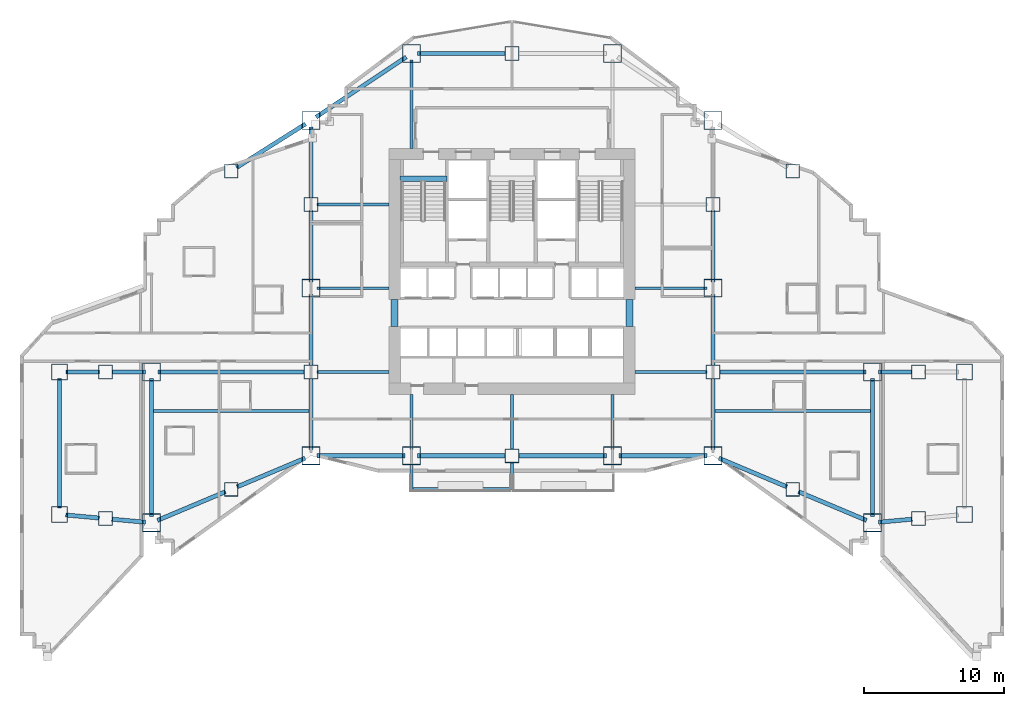
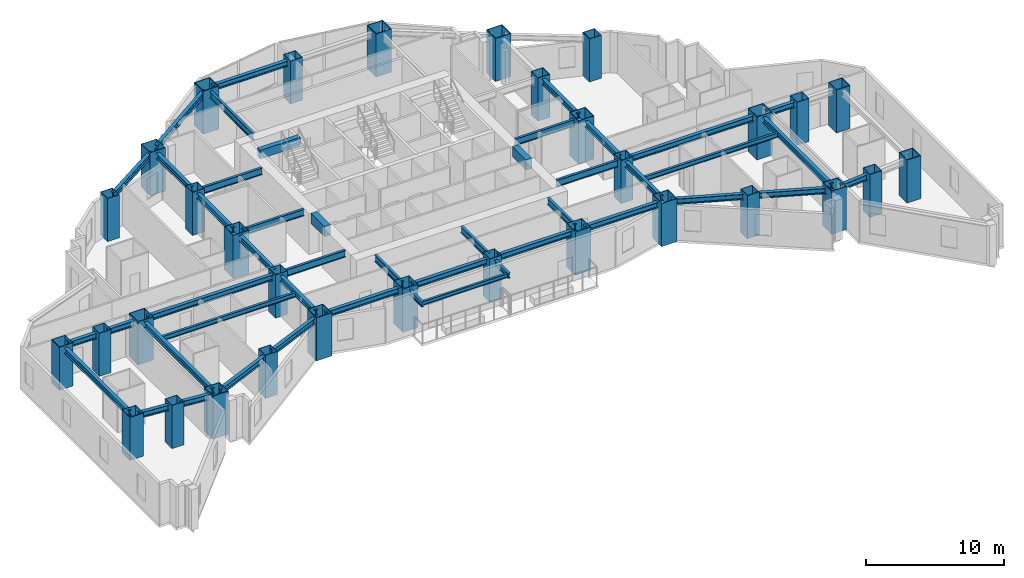
# One storey, part 1 of 17: 46 beams, 32 columns.
"""IFC4 building model written with IfcOpenShell, lengths in metres."""

import ifcopenshell
import ifcopenshell.guid

model = None  # the IFC model being written
_history = None  # IfcOwnerHistory: only IFC2X3 demands one
_inside = {}  # id of a spatial element -> (the spatial element, [elements in it])
_under = {}  # id of a project, library or spatial element -> (it, [spatial elements below it])
_declared = {}  # id of a project -> (the project, [libraries it declares])
_typed = {}  # id of a type object -> (the type object, [elements of that type])
_made_of = {}  # id of a material, layer set ... -> (it, [elements and type objects made of it])


def new_model(schema):
    """Start an empty IFC model of exactly this schema.

    Asked for "IFC4X3", IfcOpenShell would pick the latest addendum, in which some entities
    have other attributes; the version numbers below select the first issue.
    IFC2X3 requires an IfcOwnerHistory on every rooted entity: one is made here for all.
    """
    global model, _history
    if schema == "IFC4X3":
        model = ifcopenshell.file(schema_version=(4, 3, 0, 0))
    else:
        model = ifcopenshell.file(schema=schema)
    _inside.clear()
    _under.clear()
    _declared.clear()
    _typed.clear()
    _made_of.clear()
    _history = None
    if model.schema == "IFC2X3":
        org = make("IfcOrganization", Name="unknown")
        user = make(
            "IfcPersonAndOrganization",
            ThePerson=make("IfcPerson", FamilyName="unknown"),
            TheOrganization=org,
        )
        app = make(
            "IfcApplication",
            ApplicationDeveloper=org,
            Version="unknown",
            ApplicationFullName="unknown",
            ApplicationIdentifier="unknown",
        )
        _history = make(
            "IfcOwnerHistory",
            OwningUser=user,
            OwningApplication=app,
            ChangeAction="ADDED",
            CreationDate=0,
        )
    return model


def make(cls, **values):
    """One entity of the class cls with the attributes given. An attribute that is None is left unset."""
    return model.create_entity(
        cls, **{name: value for name, value in values.items() if value is not None}
    )


def rooted(cls, **values):
    """An entity with a GlobalId (a new one), such as an element, a storey or a relation."""
    return make(cls, GlobalId=ifcopenshell.guid.new(), OwnerHistory=_history, **values)


def si_unit(unit_type, name, prefix=None):
    """IfcSIUnit, for example si_unit("LENGTHUNIT", "METRE", prefix="MILLI")."""
    return make("IfcSIUnit", UnitType=unit_type, Prefix=prefix, Name=name)


def assignment(units):
    """IfcUnitAssignment: the units of a project."""
    return None if units is None else make("IfcUnitAssignment", Units=units)


def point(xyz):
    """IfcCartesianPoint."""
    return None if xyz is None else make("IfcCartesianPoint", Coordinates=xyz)


def direction(xyz):
    """IfcDirection."""
    return None if xyz is None else make("IfcDirection", DirectionRatios=xyz)


def frame(location, z_axis=None, x_axis=None):
    """IfcAxis2Placement3D, a coordinate frame: its origin and axes. An axis left out is left unset."""
    return make(
        "IfcAxis2Placement3D",
        Location=point(location),
        Axis=direction(z_axis),
        RefDirection=direction(x_axis),
    )


def frame_2d(location, x_axis=None):
    """IfcAxis2Placement2D, a coordinate frame in the plane: its origin and x axis."""
    return make(
        "IfcAxis2Placement2D", Location=point(location), RefDirection=direction(x_axis)
    )


def origin():
    """The frame at (0, 0, 0) with its axes left unset."""
    return frame((0.0, 0.0, 0.0))


def origin_2d():
    """The frame at (0, 0) in the plane with its x axis left unset."""
    return frame_2d((0.0, 0.0))


def place(relative_to, where):
    """IfcLocalPlacement: puts the frame where relative to a parent placement (None: the world)."""
    return make(
        "IfcLocalPlacement", PlacementRelTo=relative_to, RelativePlacement=where
    )


def context(
    kind, dimensions, precision=None, world=None, true_north=None, identifier=None
):
    """IfcGeometricRepresentationContext, for example the 3D "Model" context."""
    return make(
        "IfcGeometricRepresentationContext",
        ContextIdentifier=identifier,
        ContextType=kind,
        CoordinateSpaceDimension=dimensions,
        Precision=precision,
        WorldCoordinateSystem=world,
        TrueNorth=true_north,
    )


def subcontext(parent, identifier, kind, view, scale=None):
    """IfcGeometricRepresentationSubContext, for example "Body" below "Model"."""
    return make(
        "IfcGeometricRepresentationSubContext",
        ContextIdentifier=identifier,
        ContextType=kind,
        ParentContext=parent,
        TargetScale=scale,
        TargetView=view,
    )


def project(units=None, contexts=None):
    """IfcProject with its units and contexts."""
    return rooted(
        "IfcProject",
        Name="project",
        RepresentationContexts=contexts,
        UnitsInContext=assignment(units),
    )


def spatial(cls, under=None, at=None, **own):
    """A site, building, storey or space (cls), placed at a placement, below another one or the project."""
    s = rooted(cls, ObjectPlacement=at, **own)
    if under is not None:
        _under.setdefault(under.id(), (under, []))[1].append(s)
    return s


def profile(cls, at=None, kind="AREA", **sizes):
    """A parametric profile (cls). Its sizes go by their IFC names, for example OverallWidth=200.0."""
    return make(cls, ProfileType=kind, Position=at, **sizes)


def rectangle(**sizes):
    """IfcRectangleProfileDef."""
    return profile("IfcRectangleProfileDef", **sizes)


def hollow_rectangle(**sizes):
    """IfcRectangleHollowProfileDef."""
    return profile("IfcRectangleHollowProfileDef", **sizes)


def i_section(**sizes):
    """IfcIShapeProfileDef."""
    return profile("IfcIShapeProfileDef", **sizes)


def extrude(swept, where, along, depth):
    """IfcExtrudedAreaSolid: the profile swept, set in the frame where, extruded along a direction by depth."""
    return make(
        "IfcExtrudedAreaSolid",
        SweptArea=swept,
        Position=where,
        ExtrudedDirection=direction(along),
        Depth=depth,
    )


def shape(context_of_items, identifier, shape_type, items):
    """IfcShapeRepresentation: the items that make up one representation, for example the "Body"."""
    return make(
        "IfcShapeRepresentation",
        ContextOfItems=context_of_items,
        RepresentationIdentifier=identifier,
        RepresentationType=shape_type,
        Items=items,
    )


def material(Name=None, Category=None):
    """IfcMaterial."""
    return make("IfcMaterial", Name=Name, Category=Category)


def material_profile(
    of_material, cross_section, Name=None, Category=None, Priority=None
):
    """IfcMaterialProfile: a cross section and its material."""
    return make(
        "IfcMaterialProfile",
        Name=Name,
        Material=of_material,
        Profile=cross_section,
        Priority=Priority,
        Category=Category,
    )


def profile_set(profiles, Name=None, composite=None):
    """IfcMaterialProfileSet."""
    return make(
        "IfcMaterialProfileSet",
        Name=Name,
        MaterialProfiles=profiles,
        CompositeProfile=composite,
    )


def made_of(thing, what):
    """Note that an element or type object is made of a material, layer set ...; save() writes the relation."""
    if what is not None:
        _made_of.setdefault(what.id(), (what, []))[1].append(thing)
    return thing


def type_object(cls, material=None, **own):
    """A type object (cls), such as IfcWallType, which elements share."""
    return made_of(rooted(cls, **own), material)


def element(
    cls,
    number,
    at=None,
    inside=None,
    cuts=None,
    type_object=None,
    material=None,
    context=None,
    identifier="Body",
    shape_type=None,
    held_by="IfcProductDefinitionShape",
    body=None,
    shapes=None,
    **own,
):
    """One element of the class cls, such as IfcWall. Its Tag is "e" and its number.

    at: its placement. inside: the storey or other place that contains it. cuts: it is an
    opening in that element (IfcRelVoidsElement). A single representation is given by context,
    identifier, shape_type and body (its items); several are given by shapes. held_by: the class
    of the entity that holds the representations. save() writes the other relations.
    """
    e = rooted(cls, Tag="e%d" % number, ObjectPlacement=at, **own)
    if body is not None:
        shapes = [shape(context, identifier, shape_type, body)]
    if shapes is not None:
        e.Representation = make(held_by, Representations=shapes)
    if inside is not None:
        _inside.setdefault(inside.id(), (inside, []))[1].append(e)
    if cuts is not None:
        rooted(
            "IfcRelVoidsElement", RelatingBuildingElement=cuts, RelatedOpeningElement=e
        )
    if type_object is not None:
        _typed.setdefault(type_object.id(), (type_object, []))[1].append(e)
    return made_of(e, material)


def aggregate(whole, parts):
    """IfcRelAggregates: a whole, such as a stair, and the parts it consists of."""
    return rooted("IfcRelAggregates", RelatingObject=whole, RelatedObjects=parts)


def save(model, path):
    """Write the relations noted so far, then the file.

    IfcRelAggregates (storeys below a building ...), IfcRelContainedInSpatialStructure (elements
    in a storey), IfcRelDefinesByType, IfcRelAssociatesMaterial and IfcRelDeclares: one each for
    every whole, place, type object, material and project.
    """
    for whole, parts in _under.values():
        aggregate(whole, parts)
    for where, things in _inside.values():
        rooted(
            "IfcRelContainedInSpatialStructure",
            RelatedElements=things,
            RelatingStructure=where,
        )
    for kind, things in _typed.values():
        rooted("IfcRelDefinesByType", RelatedObjects=things, RelatingType=kind)
    for what, things in _made_of.values():
        rooted("IfcRelAssociatesMaterial", RelatedObjects=things, RelatingMaterial=what)
    for by, libraries in _declared.values():
        rooted("IfcRelDeclares", RelatingContext=by, RelatedDefinitions=libraries)
    model.write(path)


model = new_model("IFC4")

# Units and contexts
model_context = context("Model", 3, precision=1e-05, world=origin(), true_north=direction((0.0, 1.0)))
body_context = subcontext(model_context, "Body", "Model", "MODEL_VIEW")
ifc_project = project(units=[si_unit("LENGTHUNIT", "METRE"), si_unit("AREAUNIT", "SQUARE_METRE"), si_unit("VOLUMEUNIT", "CUBIC_METRE"), si_unit("PLANEANGLEUNIT", "RADIAN"), si_unit("MASSUNIT", "GRAM", prefix="KILO")], contexts=[model_context])

# Site, building, storey
site_placement = place(None, origin())
site = spatial("IfcSite", under=ifc_project, at=site_placement, CompositionType="ELEMENT")
building_placement = place(site_placement, origin())
building = spatial("IfcBuilding", under=site, at=building_placement, Name="Haolan Belvedere Tower", CompositionType="ELEMENT")
storey_placement = place(building_placement, frame((0.0, 0.0, 27.800048828125)))
storey = spatial("IfcBuildingStorey", under=building, at=storey_placement, Name="L06", CompositionType="ELEMENT", Elevation=27.800048828125)

# Columns
ifc_material_1 = material(Name="Steel Q420GJC", Category="steel")
ifc_material_profile_1 = material_profile(ifc_material_1, hollow_rectangle(XDim=1.0, YDim=1.0, WallThickness=0.0380859375, at=origin_2d()), Name="Steel Q420GJC")
ifc_profile_set_1 = profile_set([ifc_material_profile_1], Name="Steel Q420GJC")
column_type_1 = type_object("IfcColumnType", Name="COL-BOX1000x1000x38", PredefinedType="COLUMN", material=ifc_profile_set_1)
for number, where, z_axis, x_axis, name in (
    (1, (24.0, 27.60009765625, 0.0), (0.0, 0.0, 1.0), (1.0, 0.0, 0.0), "L06 column TC-T3-W1 (BOX1000x1000x38)"),
    (2, (24.0, 39.60009765625, 0.0), (0.0, 0.0, 1.0), (1.0, 0.0, 0.0), "L06 column TC-T3-W2 (BOX1000x1000x38)"),
    (3, (52.800048828125, 27.60009765625, 0.0), (0.0, 0.0, 1.0), (1.0, 0.0, 0.0), "L06 column TC-T3-E1 (BOX1000x1000x38)"),
    (4, (52.800048828125, 39.60009765625, 0.0), (0.0, 0.0, 1.0), (1.0, 0.0, 0.0), "L06 column TC-T3-E2 (BOX1000x1000x38)"),
    (5, (38.39990234375, 21.60009765625, 0.0), (0.0, 0.0, 1.0), (1.0, 0.0, 0.0), "L06 column TC-T3-SM (BOX1000x1000x38)"),
    (6, (38.39990234375, 50.39990234375, 0.0), (0.0, 0.0, 1.0), (1.0, 0.0, 0.0), "L06 column TC-T3-NM (BOX1000x1000x38)"),
    (7, (18.300048828125, 19.199951171875, 0.0), (0.0, 0.0, 1.0), (1.0, 0.0, 0.0), "L06 column TC-T2-S1 (BOX1000x1000x38)"),
    (8, (18.300048828125, 42.0, 0.0), (0.0, 0.0, 1.0), (1.0, 0.0, 0.0), "L06 column TC-T2-N1 (BOX1000x1000x38)"),
    (9, (58.5, 19.199951171875, 0.0), (0.0, 0.0, 1.0), (1.0, 0.0, 0.0), "L06 column TC-T4-S1 (BOX1000x1000x38)"),
    (10, (58.5, 42.0, 0.0), (0.0, 0.0, 1.0), (1.0, 0.0, 0.0), "L06 column TC-T4-N1 (BOX1000x1000x38)"),
    (11, (9.300048828125, 17.10009765625, 0.0), (0.0, 0.0, 1.0), (1.0, 0.0, 0.0), "L06 column TC-T1-M1 (BOX1000x1000x38)"),
    (12, (9.300048828125, 27.60009765625, 0.0), (0.0, 0.0, 1.0), (1.0, 0.0, 0.0), "L06 column TC-T1-M2 (BOX1000x1000x38)"),
    (13, (67.5, 17.10009765625, 0.0), (0.0, 0.0, 1.0), (1.0, 0.0, 0.0), "L06 column TC-T5-M1 (BOX1000x1000x38)"),
    (14, (67.5, 27.60009765625, 0.0), (0.0, 0.0, 1.0), (1.0, 0.0, 0.0), "L06 column TC-T5-M2 (BOX1000x1000x38)"),
):
    element("IfcColumn", number, at=place(storey_placement, frame(where, z_axis=z_axis, x_axis=x_axis)), inside=storey, type_object=column_type_1, Name=name, PredefinedType="COLUMN", context=body_context, shape_type="SweptSolid", body=[
        extrude(hollow_rectangle(XDim=1.0, YDim=1.0, WallThickness=0.0380859375, at=origin_2d()), origin(), (0.0, 0.0, 1.0), 3.800048828125),
    ])
ifc_material_2 = material(Name="Steel Q355B", Category="steel")
ifc_material_profile_2 = material_profile(ifc_material_2, hollow_rectangle(XDim=1.14990234375, YDim=1.14990234375, WallThickness=0.0419921875, at=origin_2d()), Name="Steel Q355B")
ifc_profile_set_2 = profile_set([ifc_material_profile_2], Name="Steel Q355B")
column_type_2 = type_object("IfcColumnType", Name="COL-BOX1150x1150x42", PredefinedType="COLUMN", material=ifc_profile_set_2)
for number, where, z_axis, x_axis, name in (
    (15, (6.0, 17.39990234375, 0.0), (0.0, 0.0, 1.0), (1.0, 0.0, 0.0), "L06 column MC-T1-SW (BOX1150x1150x42)"),
    (16, (6.0, 27.60009765625, 0.0), (0.0, 0.0, 1.0), (1.0, 0.0, 0.0), "L06 column MC-T1-NW (BOX1150x1150x42)"),
    (17, (70.800048828125, 17.39990234375, 0.0), (0.0, 0.0, 1.0), (1.0, 0.0, 0.0), "L06 column MC-T5-SE (BOX1150x1150x42)"),
    (18, (70.800048828125, 27.60009765625, 0.0), (0.0, 0.0, 1.0), (1.0, 0.0, 0.0), "L06 column MC-T5-NE (BOX1150x1150x42)"),
):
    element("IfcColumn", number, at=place(storey_placement, frame(where, z_axis=z_axis, x_axis=x_axis)), inside=storey, type_object=column_type_2, Name=name, PredefinedType="COLUMN", context=body_context, shape_type="SweptSolid", body=[
        extrude(hollow_rectangle(XDim=1.14990234375, YDim=1.14990234375, WallThickness=0.0419921875, at=origin_2d()), origin(), (0.0, 0.0, 1.0), 3.800048828125),
    ])
ifc_material_profile_3 = material_profile(ifc_material_2, hollow_rectangle(XDim=1.300048828125, YDim=1.300048828125, WallThickness=0.048095703125, at=origin_2d()), Name="Steel Q355B")
ifc_profile_set_3 = profile_set([ifc_material_profile_3], Name="Steel Q355B")
column_type_3 = type_object("IfcColumnType", Name="COL-BOX1300x1300x48", PredefinedType="COLUMN", material=ifc_profile_set_3)
for number, where, z_axis, x_axis, name in (
    (19, (24.0, 21.60009765625, 0.0), (0.0, 0.0, 1.0), (1.0, 0.0, 0.0), "L06 column MC-T3-SW (BOX1300x1300x48)"),
    (20, (24.0, 33.60009765625, 0.0), (0.0, 0.0, 1.0), (1.0, 0.0, 0.0), "L06 column MC-T3-MW (BOX1300x1300x48)"),
    (21, (24.0, 45.60009765625, 0.0), (0.0, 0.0, 1.0), (1.0, 0.0, 0.0), "L06 column MC-T3-NW (BOX1300x1300x48)"),
    (22, (52.800048828125, 21.60009765625, 0.0), (0.0, 0.0, 1.0), (1.0, 0.0, 0.0), "L06 column MC-T3-SE (BOX1300x1300x48)"),
    (23, (52.800048828125, 33.60009765625, 0.0), (0.0, 0.0, 1.0), (1.0, 0.0, 0.0), "L06 column MC-T3-ME (BOX1300x1300x48)"),
    (24, (52.800048828125, 45.60009765625, 0.0), (0.0, 0.0, 1.0), (1.0, 0.0, 0.0), "L06 column MC-T3-NE (BOX1300x1300x48)"),
    (25, (31.199951171875, 21.60009765625, 0.0), (0.0, 0.0, 1.0), (1.0, 0.0, 0.0), "L06 column MC-T3-S1 (BOX1300x1300x48)"),
    (26, (45.60009765625, 21.60009765625, 0.0), (0.0, 0.0, 1.0), (1.0, 0.0, 0.0), "L06 column MC-T3-S2 (BOX1300x1300x48)"),
    (27, (31.199951171875, 50.39990234375, 0.0), (0.0, 0.0, 1.0), (1.0, 0.0, 0.0), "L06 column MC-T3-N1 (BOX1300x1300x48)"),
    (28, (45.60009765625, 50.39990234375, 0.0), (0.0, 0.0, 1.0), (1.0, 0.0, 0.0), "L06 column MC-T3-N2 (BOX1300x1300x48)"),
    (29, (12.60009765625, 16.800048828125, 0.0), (0.0, 0.0, 1.0), (1.0, 0.0, 0.0), "L06 column MC-T2-SW (BOX1300x1300x48)"),
    (30, (12.60009765625, 27.60009765625, 0.0), (0.0, 0.0, 1.0), (1.0, 0.0, 0.0), "L06 column MC-T2-MW (BOX1300x1300x48)"),
    (31, (64.199951171875, 16.800048828125, 0.0), (0.0, 0.0, 1.0), (1.0, 0.0, 0.0), "L06 column MC-T4-SE (BOX1300x1300x48)"),
    (32, (64.199951171875, 27.60009765625, 0.0), (0.0, 0.0, 1.0), (1.0, 0.0, 0.0), "L06 column MC-T4-ME (BOX1300x1300x48)"),
):
    element("IfcColumn", number, at=place(storey_placement, frame(where, z_axis=z_axis, x_axis=x_axis)), inside=storey, type_object=column_type_3, Name=name, PredefinedType="COLUMN", context=body_context, shape_type="SweptSolid", body=[
        extrude(hollow_rectangle(XDim=1.300048828125, YDim=1.300048828125, WallThickness=0.048095703125, at=origin_2d()), origin(), (0.0, 0.0, 1.0), 3.800048828125),
    ])

# Beams
ifc_material_profile_4 = material_profile(ifc_material_2, i_section(OverallWidth=0.300048828125, OverallDepth=0.488037109375, WebThickness=0.010986328125, FlangeThickness=0.01806640625, FilletRadius=0.02587890625, at=origin_2d()), Name="Steel Q355B")
ifc_profile_set_4 = profile_set([ifc_material_profile_4], Name="Steel Q355B")
beam_type_1 = type_object("IfcBeamType", Name="BM-HM488x300x11x18", PredefinedType="SPANDREL", material=ifc_profile_set_4)
for number, where, z_axis, x_axis, name in (
    (33, (24.0, 22.050048828125, 3.35595703125), (0.0, 1.0, 0.0), (-1.0, 0.0, 0.0), "L06 spandrel girder MC-T3-SW-TC-T3-W1"),
    (34, (24.0, 28.050048828125, 3.35595703125), (0.0, 1.0, 0.0), (-1.0, 0.0, 0.0), "L06 spandrel girder TC-T3-W1-MC-T3-MW"),
    (35, (24.0, 34.050048828125, 3.35595703125), (0.0, 1.0, 0.0), (-1.0, 0.0, 0.0), "L06 spandrel girder MC-T3-MW-TC-T3-W2"),
    (36, (24.0, 40.050048828125, 3.35595703125), (0.0, 1.0, 0.0), (-1.0, 0.0, 0.0), "L06 spandrel girder TC-T3-W2-MC-T3-NW"),
    (37, (52.800048828125, 22.050048828125, 3.35595703125), (0.0, 1.0, 0.0), (-1.0, 0.0, 0.0), "L06 spandrel girder MC-T3-SE-TC-T3-E1"),
    (38, (52.800048828125, 28.050048828125, 3.35595703125), (0.0, 1.0, 0.0), (-1.0, 0.0, 0.0), "L06 spandrel girder TC-T3-E1-MC-T3-ME"),
    (39, (52.800048828125, 34.050048828125, 3.35595703125), (0.0, 1.0, 0.0), (-1.0, 0.0, 0.0), "L06 spandrel girder MC-T3-ME-TC-T3-E2"),
):
    element("IfcBeam", number, at=place(storey_placement, frame(where, z_axis=z_axis, x_axis=x_axis)), inside=storey, type_object=beam_type_1, Name=name, PredefinedType="SPANDREL", context=body_context, shape_type="SweptSolid", body=[
        extrude(i_section(OverallWidth=0.300048828125, OverallDepth=0.488037109375, WebThickness=0.010986328125, FlangeThickness=0.01806640625, FilletRadius=0.02587890625, at=origin_2d()), origin(), (0.0, 0.0, 1.0), 5.099853515625),
    ])
for number, where, z_axis, x_axis, name in (
    (40, (24.449951171875, 21.60009765625, 3.35595703125), (1.0, 0.0, 0.0), (0.0, 1.0, 0.0), "L06 spandrel girder MC-T3-SW-MC-T3-S1"),
    (41, (31.64990234375, 21.60009765625, 3.35595703125), (1.0, 0.0, 0.0), (0.0, 1.0, 0.0), "L06 spandrel girder MC-T3-S1-TC-T3-SM"),
):
    element("IfcBeam", number, at=place(storey_placement, frame(where, z_axis=z_axis, x_axis=x_axis)), inside=storey, type_object=beam_type_1, Name=name, PredefinedType="SPANDREL", context=body_context, shape_type="SweptSolid", body=[
        extrude(i_section(OverallWidth=0.300048828125, OverallDepth=0.488037109375, WebThickness=0.010986328125, FlangeThickness=0.01806640625, FilletRadius=0.02587890625, at=origin_2d()), origin(), (0.0, 0.0, 1.0), 6.300048828125),
    ])
beam_1_placement = place(storey_placement, frame((38.85009765625, 21.60009765625, 3.35595703125), z_axis=(1.0, 0.0, 0.0), x_axis=(0.0, 1.0, 0.0)))
element("IfcBeam", 42, at=beam_1_placement, inside=storey, type_object=beam_type_1, Name="L06 spandrel girder TC-T3-SM-MC-T3-S2", PredefinedType="SPANDREL", context=body_context, shape_type="SweptSolid", body=[
    extrude(i_section(OverallWidth=0.300048828125, OverallDepth=0.488037109375, WebThickness=0.010986328125, FlangeThickness=0.01806640625, FilletRadius=0.02587890625, at=origin_2d()), origin(), (0.0, 0.0, 1.0), 6.2998046875),
])
beam_2_placement = place(storey_placement, frame((46.050048828125, 21.60009765625, 3.35595703125), z_axis=(1.0, 0.0, 0.0), x_axis=(0.0, 1.0, 0.0)))
element("IfcBeam", 43, at=beam_2_placement, inside=storey, type_object=beam_type_1, Name="L06 spandrel girder MC-T3-S2-MC-T3-SE", PredefinedType="SPANDREL", context=body_context, shape_type="SweptSolid", body=[
    extrude(i_section(OverallWidth=0.300048828125, OverallDepth=0.488037109375, WebThickness=0.010986328125, FlangeThickness=0.01806640625, FilletRadius=0.02587890625, at=origin_2d()), origin(), (0.0, 0.0, 1.0), 6.300048828125),
])
beam_3_placement = place(storey_placement, frame((24.37451171875, 45.849609375, 3.35595703125), z_axis=(0.832050294338, 0.554700196225, 0.0), x_axis=(-0.554700196225, 0.832050294338, 0.0)))
element("IfcBeam", 44, at=beam_3_placement, inside=storey, type_object=beam_type_1, Name="L06 spandrel girder MC-T3-NW-MC-T3-N1", PredefinedType="SPANDREL", context=body_context, shape_type="SweptSolid", body=[
    extrude(i_section(OverallWidth=0.300048828125, OverallDepth=0.488037109375, WebThickness=0.010986328125, FlangeThickness=0.01806640625, FilletRadius=0.02587890625, at=origin_2d()), origin(), (0.0, 0.0, 1.0), 7.75341796875),
])
beam_4_placement = place(storey_placement, frame((31.64990234375, 50.39990234375, 3.35595703125), z_axis=(1.0, 0.0, 0.0), x_axis=(0.0, 1.0, 0.0)))
element("IfcBeam", 45, at=beam_4_placement, inside=storey, type_object=beam_type_1, Name="L06 spandrel girder MC-T3-N1-TC-T3-NM", PredefinedType="SPANDREL", context=body_context, shape_type="SweptSolid", body=[
    extrude(i_section(OverallWidth=0.300048828125, OverallDepth=0.488037109375, WebThickness=0.010986328125, FlangeThickness=0.01806640625, FilletRadius=0.02587890625, at=origin_2d()), origin(), (0.0, 0.0, 1.0), 6.300048828125),
])
beam_5_placement = place(storey_placement, frame((12.60009765625, 17.25, 3.35595703125), z_axis=(0.0, 1.0, 0.0), x_axis=(-1.0, 0.0, 0.0)))
element("IfcBeam", 46, at=beam_5_placement, inside=storey, type_object=beam_type_1, Name="L06 spandrel girder MC-T2-SW-MC-T2-MW", PredefinedType="SPANDREL", context=body_context, shape_type="SweptSolid", body=[
    extrude(i_section(OverallWidth=0.300048828125, OverallDepth=0.488037109375, WebThickness=0.010986328125, FlangeThickness=0.01806640625, FilletRadius=0.02587890625, at=origin_2d()), origin(), (0.0, 0.0, 1.0), 9.89990234375),
])
beam_6_placement = place(storey_placement, frame((13.0146484375, 16.974609375, 3.35595703125), z_axis=(0.921635375138, 0.388057000058, 0.0), x_axis=(-0.388057000058, 0.921635375138, 0.0)))
element("IfcBeam", 47, at=beam_6_placement, inside=storey, type_object=beam_type_1, Name="L06 spandrel girder MC-T2-SW-TC-T2-S1", PredefinedType="SPANDREL", context=body_context, shape_type="SweptSolid", body=[
    extrude(i_section(OverallWidth=0.300048828125, OverallDepth=0.488037109375, WebThickness=0.010986328125, FlangeThickness=0.01806640625, FilletRadius=0.02587890625, at=origin_2d()), origin(), (0.0, 0.0, 1.0), 5.28466796875),
])
beam_7_placement = place(storey_placement, frame((18.71484375, 19.37451171875, 3.35595703125), z_axis=(0.92162841793, 0.388073523014, 0.0), x_axis=(-0.388073523014, 0.92162841793, 0.0)))
element("IfcBeam", 48, at=beam_7_placement, inside=storey, type_object=beam_type_1, Name="L06 spandrel girder TC-T2-S1-MC-T3-SW", PredefinedType="SPANDREL", context=body_context, shape_type="SweptSolid", body=[
    extrude(i_section(OverallWidth=0.300048828125, OverallDepth=0.488037109375, WebThickness=0.010986328125, FlangeThickness=0.01806640625, FilletRadius=0.02587890625, at=origin_2d()), origin(), (0.0, 0.0, 1.0), 5.284423828125),
])
beam_8_placement = place(storey_placement, frame((18.680419921875, 42.240234375, 3.35595703125), z_axis=(0.845497840649, 0.533978839898, 0.0), x_axis=(-0.533978839898, 0.845497840649, 0.0)))
element("IfcBeam", 49, at=beam_8_placement, inside=storey, type_object=beam_type_1, Name="L06 spandrel girder TC-T2-N1-MC-T3-NW", PredefinedType="SPANDREL", context=body_context, shape_type="SweptSolid", body=[
    extrude(i_section(OverallWidth=0.300048828125, OverallDepth=0.488037109375, WebThickness=0.010986328125, FlangeThickness=0.01806640625, FilletRadius=0.02587890625, at=origin_2d()), origin(), (0.0, 0.0, 1.0), 5.841796875),
])
beam_9_placement = place(storey_placement, frame((13.050048828125, 27.60009765625, 3.35595703125), z_axis=(1.0, 0.0, 0.0), x_axis=(0.0, 1.0, 0.0)))
element("IfcBeam", 50, at=beam_9_placement, inside=storey, type_object=beam_type_1, Name="L06 spandrel girder MC-T2-MW-TC-T3-W1", PredefinedType="SPANDREL", context=body_context, shape_type="SweptSolid", body=[
    extrude(i_section(OverallWidth=0.300048828125, OverallDepth=0.488037109375, WebThickness=0.010986328125, FlangeThickness=0.01806640625, FilletRadius=0.02587890625, at=origin_2d()), origin(), (0.0, 0.0, 1.0), 10.5),
])
beam_10_placement = place(storey_placement, frame((64.199951171875, 17.25, 3.35595703125), z_axis=(0.0, 1.0, 0.0), x_axis=(-1.0, 0.0, 0.0)))
element("IfcBeam", 51, at=beam_10_placement, inside=storey, type_object=beam_type_1, Name="L06 spandrel girder MC-T4-SE-MC-T4-ME", PredefinedType="SPANDREL", context=body_context, shape_type="SweptSolid", body=[
    extrude(i_section(OverallWidth=0.300048828125, OverallDepth=0.488037109375, WebThickness=0.010986328125, FlangeThickness=0.01806640625, FilletRadius=0.02587890625, at=origin_2d()), origin(), (0.0, 0.0, 1.0), 9.89990234375),
])
for number, where, z_axis, x_axis, name in (
    (52, (53.21484375, 21.42529296875, 3.35595703125), (0.92162841793, -0.388073523014, 0.0), (0.388073523014, 0.92162841793, 0.0), "L06 spandrel girder MC-T3-SE-TC-T4-S1"),
    (53, (58.914794921875, 19.025390625, 3.35595703125), (0.92162841793, -0.388073523014, 0.0), (0.388073523014, 0.92162841793, 0.0), "L06 spandrel girder TC-T4-S1-MC-T4-SE"),
):
    element("IfcBeam", number, at=place(storey_placement, frame(where, z_axis=z_axis, x_axis=x_axis)), inside=storey, type_object=beam_type_1, Name=name, PredefinedType="SPANDREL", context=body_context, shape_type="SweptSolid", body=[
        extrude(i_section(OverallWidth=0.300048828125, OverallDepth=0.488037109375, WebThickness=0.010986328125, FlangeThickness=0.01806640625, FilletRadius=0.02587890625, at=origin_2d()), origin(), (0.0, 0.0, 1.0), 5.284423828125),
    ])
beam_11_placement = place(storey_placement, frame((53.25, 27.60009765625, 3.35595703125), z_axis=(1.0, 0.0, 0.0), x_axis=(0.0, 1.0, 0.0)))
element("IfcBeam", 54, at=beam_11_placement, inside=storey, type_object=beam_type_1, Name="L06 spandrel girder TC-T3-E1-MC-T4-ME", PredefinedType="SPANDREL", context=body_context, shape_type="SweptSolid", body=[
    extrude(i_section(OverallWidth=0.300048828125, OverallDepth=0.488037109375, WebThickness=0.010986328125, FlangeThickness=0.01806640625, FilletRadius=0.02587890625, at=origin_2d()), origin(), (0.0, 0.0, 1.0), 10.5),
])
beam_12_placement = place(storey_placement, frame((6.0, 17.85009765625, 3.35595703125), z_axis=(0.0, 1.0, 0.0), x_axis=(-1.0, 0.0, 0.0)))
element("IfcBeam", 55, at=beam_12_placement, inside=storey, type_object=beam_type_1, Name="L06 spandrel girder MC-T1-SW-MC-T1-NW", PredefinedType="SPANDREL", context=body_context, shape_type="SweptSolid", body=[
    extrude(i_section(OverallWidth=0.300048828125, OverallDepth=0.488037109375, WebThickness=0.010986328125, FlangeThickness=0.01806640625, FilletRadius=0.02587890625, at=origin_2d()), origin(), (0.0, 0.0, 1.0), 9.2998046875),
])
beam_13_placement = place(storey_placement, frame((6.4482421875, 17.359375, 3.35595703125), z_axis=(0.995884080761, -0.090636072764, 0.0), x_axis=(0.090636072764, 0.995884080761, 0.0)))
element("IfcBeam", 56, at=beam_13_placement, inside=storey, type_object=beam_type_1, Name="L06 spandrel girder MC-T1-SW-TC-T1-M1", PredefinedType="SPANDREL", context=body_context, shape_type="SweptSolid", body=[
    extrude(i_section(OverallWidth=0.300048828125, OverallDepth=0.488037109375, WebThickness=0.010986328125, FlangeThickness=0.01806640625, FilletRadius=0.02587890625, at=origin_2d()), origin(), (0.0, 0.0, 1.0), 2.41357421875),
])
beam_14_placement = place(storey_placement, frame((9.748046875, 17.059326171875, 3.35595703125), z_axis=(0.9958940355, -0.090526626221, 0.0), x_axis=(0.090526626221, 0.9958940355, 0.0)))
element("IfcBeam", 57, at=beam_14_placement, inside=storey, type_object=beam_type_1, Name="L06 spandrel girder TC-T1-M1-MC-T2-SW", PredefinedType="SPANDREL", context=body_context, shape_type="SweptSolid", body=[
    extrude(i_section(OverallWidth=0.300048828125, OverallDepth=0.488037109375, WebThickness=0.010986328125, FlangeThickness=0.01806640625, FilletRadius=0.02587890625, at=origin_2d()), origin(), (0.0, 0.0, 1.0), 2.413818359375),
])
beam_15_placement = place(storey_placement, frame((6.449951171875, 27.60009765625, 3.35595703125), z_axis=(1.0, 0.0, 0.0), x_axis=(0.0, 1.0, 0.0)))
element("IfcBeam", 58, at=beam_15_placement, inside=storey, type_object=beam_type_1, Name="L06 spandrel girder MC-T1-NW-TC-T1-M2", PredefinedType="SPANDREL", context=body_context, shape_type="SweptSolid", body=[
    extrude(i_section(OverallWidth=0.300048828125, OverallDepth=0.488037109375, WebThickness=0.010986328125, FlangeThickness=0.01806640625, FilletRadius=0.02587890625, at=origin_2d()), origin(), (0.0, 0.0, 1.0), 2.400146484375),
])
beam_16_placement = place(storey_placement, frame((9.75, 27.60009765625, 3.35595703125), z_axis=(1.0, 0.0, 0.0), x_axis=(0.0, 1.0, 0.0)))
element("IfcBeam", 59, at=beam_16_placement, inside=storey, type_object=beam_type_1, Name="L06 spandrel girder TC-T1-M2-MC-T2-MW", PredefinedType="SPANDREL", context=body_context, shape_type="SweptSolid", body=[
    extrude(i_section(OverallWidth=0.300048828125, OverallDepth=0.488037109375, WebThickness=0.010986328125, FlangeThickness=0.01806640625, FilletRadius=0.02587890625, at=origin_2d()), origin(), (0.0, 0.0, 1.0), 2.39990234375),
])
beam_17_placement = place(storey_placement, frame((64.648193359375, 16.8408203125, 3.35595703125), z_axis=(0.995893206468, 0.090535746043, 0.0), x_axis=(-0.090535746043, 0.995893206468, 0.0)))
element("IfcBeam", 60, at=beam_17_placement, inside=storey, type_object=beam_type_1, Name="L06 spandrel girder MC-T4-SE-TC-T5-M1", PredefinedType="SPANDREL", context=body_context, shape_type="SweptSolid", body=[
    extrude(i_section(OverallWidth=0.300048828125, OverallDepth=0.488037109375, WebThickness=0.010986328125, FlangeThickness=0.01806640625, FilletRadius=0.02587890625, at=origin_2d()), origin(), (0.0, 0.0, 1.0), 2.41357421875),
])
beam_18_placement = place(storey_placement, frame((64.64990234375, 27.60009765625, 3.35595703125), z_axis=(1.0, 0.0, 0.0), x_axis=(0.0, 1.0, 0.0)))
element("IfcBeam", 61, at=beam_18_placement, inside=storey, type_object=beam_type_1, Name="L06 spandrel girder MC-T4-ME-TC-T5-M2", PredefinedType="SPANDREL", context=body_context, shape_type="SweptSolid", body=[
    extrude(i_section(OverallWidth=0.300048828125, OverallDepth=0.488037109375, WebThickness=0.010986328125, FlangeThickness=0.01806640625, FilletRadius=0.02587890625, at=origin_2d()), origin(), (0.0, 0.0, 1.0), 2.400146484375),
])
ifc_material_profile_5 = material_profile(ifc_material_2, i_section(OverallWidth=0.175048828125, OverallDepth=0.35009765625, WebThickness=0.007080078125, FlangeThickness=0.010986328125, FilletRadius=0.012939453125, at=origin_2d()), Name="Steel Q355B")
ifc_profile_set_5 = profile_set([ifc_material_profile_5], Name="Steel Q355B")
beam_type_2 = type_object("IfcBeamType", Name="BM-HN350x175x7x11", PredefinedType="JOIST", material=ifc_profile_set_5)
beam_19_placement = place(storey_placement, frame((31.300048828125, 19.239990234375, 3.39501953125), z_axis=(1.0, 0.0, 0.0), x_axis=(0.0, 1.0, 0.0)))
element("IfcBeam", 62, at=beam_19_placement, inside=storey, type_object=beam_type_2, Name="L07 tree-balcony front trimmer beam 1", PredefinedType="BEAM", context=body_context, shape_type="SweptSolid", body=[
    extrude(i_section(OverallWidth=0.175048828125, OverallDepth=0.35009765625, WebThickness=0.007080078125, FlangeThickness=0.010986328125, FilletRadius=0.012939453125, at=origin_2d()), origin(), (0.0, 0.0, 1.0), 7.0),
])
ifc_material_profile_6 = material_profile(ifc_material_2, i_section(OverallWidth=0.199951171875, OverallDepth=0.39990234375, WebThickness=0.008056640625, FlangeThickness=0.012939453125, FilletRadius=0.01611328125, at=origin_2d()), Name="Steel Q355B")
ifc_profile_set_6 = profile_set([ifc_material_profile_6], Name="Steel Q355B")
beam_type_3 = type_object("IfcBeamType", Name="BM-HN400x200x8x13", PredefinedType="JOIST", material=ifc_profile_set_6)
for number, where, z_axis, x_axis, name in (
    (63, (12.75, 24.800048828125, 3.39990234375), (1.0, 0.0, 0.0), (0.0, 1.0, 0.0), "L06 west wing floor joist 1"),
    (64, (52.949951171875, 24.800048828125, 3.39990234375), (1.0, 0.0, 0.0), (0.0, 1.0, 0.0), "L06 east wing floor joist 1"),
):
    element("IfcBeam", number, at=place(storey_placement, frame(where, z_axis=z_axis, x_axis=x_axis)), inside=storey, type_object=beam_type_3, Name=name, PredefinedType="JOIST", context=body_context, shape_type="SweptSolid", body=[
        extrude(i_section(OverallWidth=0.199951171875, OverallDepth=0.39990234375, WebThickness=0.008056640625, FlangeThickness=0.012939453125, FilletRadius=0.01611328125, at=origin_2d()), origin(), (0.0, 0.0, 1.0), 11.10009765625),
    ])
ifc_material_profile_7 = material_profile(ifc_material_2, i_section(OverallWidth=0.199951171875, OverallDepth=0.449951171875, WebThickness=0.009033203125, FlangeThickness=0.013916015625, FilletRadius=0.01611328125, at=origin_2d()), Name="Steel Q355B")
ifc_profile_set_7 = profile_set([ifc_material_profile_7], Name="Steel Q355B")
beam_type_4 = type_object("IfcBeamType", Name="BM-HN450x200x9x14", PredefinedType="BEAM", material=ifc_profile_set_7)
beam_20_placement = place(storey_placement, frame((31.199951171875, 20.949951171875, 3.344970703125), z_axis=(0.0, -1.0, 0.0), x_axis=(1.0, 0.0, 0.0)))
element("IfcBeam", 65, at=beam_20_placement, inside=storey, type_object=beam_type_4, Name="L07 tree-balcony column cantilever MC-T3-S1", PredefinedType="BEAM", context=body_context, shape_type="SweptSolid", body=[
    extrude(i_section(OverallWidth=0.199951171875, OverallDepth=0.449951171875, WebThickness=0.009033203125, FlangeThickness=0.013916015625, FilletRadius=0.01611328125, at=origin_2d()), origin(), (0.0, 0.0, 1.0), 1.81005859375),
])
beam_21_placement = place(storey_placement, frame((38.39990234375, 21.10009765625, 3.344970703125), z_axis=(0.0, -1.0, 0.0), x_axis=(1.0, 0.0, 0.0)))
element("IfcBeam", 66, at=beam_21_placement, inside=storey, type_object=beam_type_4, Name="L07 tree-balcony column cantilever TC-T3-SM", PredefinedType="BEAM", context=body_context, shape_type="SweptSolid", body=[
    extrude(i_section(OverallWidth=0.199951171875, OverallDepth=0.449951171875, WebThickness=0.009033203125, FlangeThickness=0.013916015625, FilletRadius=0.01611328125, at=origin_2d()), origin(), (0.0, 0.0, 1.0), 1.960205078125),
])
ifc_material_profile_8 = material_profile(ifc_material_2, i_section(OverallWidth=0.199951171875, OverallDepth=0.60009765625, WebThickness=0.010986328125, FlangeThickness=0.01708984375, FilletRadius=0.02197265625, at=origin_2d()), Name="Steel Q355B")
ifc_profile_set_8 = profile_set([ifc_material_profile_8], Name="Steel Q355B")
beam_type_5 = type_object("IfcBeamType", Name="BM-HN600x200x11x17", PredefinedType="BEAM", material=ifc_profile_set_8)
for number, where, z_axis, x_axis, name in (
    (67, (24.449951171875, 33.60009765625, 3.300048828125), (1.0, 0.0, 0.0), (0.0, 1.0, 0.0), "L06 core tie beam from MC-T3-MW"),
    (68, (24.449951171875, 27.60009765625, 3.300048828125), (1.0, 0.0, 0.0), (0.0, 1.0, 0.0), "L06 core tie beam from TC-T3-W1"),
    (69, (24.449951171875, 39.60009765625, 3.300048828125), (1.0, 0.0, 0.0), (0.0, 1.0, 0.0), "L06 core tie beam from TC-T3-W2"),
    (70, (52.35009765625, 33.60009765625, 3.300048828125), (-1.0, 0.0, 0.0), (0.0, -1.0, 0.0), "L06 core tie beam from MC-T3-ME"),
    (71, (52.35009765625, 27.60009765625, 3.300048828125), (-1.0, 0.0, 0.0), (0.0, -1.0, 0.0), "L06 core tie beam from TC-T3-E1"),
):
    element("IfcBeam", number, at=place(storey_placement, frame(where, z_axis=z_axis, x_axis=x_axis)), inside=storey, type_object=beam_type_5, Name=name, PredefinedType="BEAM", context=body_context, shape_type="SweptSolid", body=[
        extrude(i_section(OverallWidth=0.199951171875, OverallDepth=0.60009765625, WebThickness=0.010986328125, FlangeThickness=0.01708984375, FilletRadius=0.02197265625, at=origin_2d()), origin(), (0.0, 0.0, 1.0), 5.150146484375),
    ])
for number, where, z_axis, x_axis, name in (
    (72, (31.199951171875, 22.050048828125, 3.300048828125), (0.0, 1.0, 0.0), (-1.0, 0.0, 0.0), "L06 core tie beam from MC-T3-S1"),
    (73, (38.39990234375, 22.050048828125, 3.300048828125), (0.0, 1.0, 0.0), (-1.0, 0.0, 0.0), "L06 core tie beam from TC-T3-SM"),
    (74, (45.60009765625, 22.050048828125, 3.300048828125), (0.0, 1.0, 0.0), (-1.0, 0.0, 0.0), "L06 core tie beam from MC-T3-S2"),
):
    element("IfcBeam", number, at=place(storey_placement, frame(where, z_axis=z_axis, x_axis=x_axis)), inside=storey, type_object=beam_type_5, Name=name, PredefinedType="BEAM", context=body_context, shape_type="SweptSolid", body=[
        extrude(i_section(OverallWidth=0.199951171875, OverallDepth=0.60009765625, WebThickness=0.010986328125, FlangeThickness=0.01708984375, FilletRadius=0.02197265625, at=origin_2d()), origin(), (0.0, 0.0, 1.0), 3.949951171875),
    ])
beam_22_placement = place(storey_placement, frame((31.199951171875, 49.949951171875, 3.300048828125), z_axis=(0.0, -1.0, 0.0), x_axis=(1.0, 0.0, 0.0)))
element("IfcBeam", 75, at=beam_22_placement, inside=storey, type_object=beam_type_5, Name="L06 core tie beam from MC-T3-N1", PredefinedType="BEAM", context=body_context, shape_type="SweptSolid", body=[
    extrude(i_section(OverallWidth=0.199951171875, OverallDepth=0.60009765625, WebThickness=0.010986328125, FlangeThickness=0.01708984375, FilletRadius=0.02197265625, at=origin_2d()), origin(), (0.0, 0.0, 1.0), 6.349853515625),
])
ifc_material_3 = material(Name="Concrete C50/60", Category="concrete")
ifc_material_profile_9 = material_profile(ifc_material_3, rectangle(XDim=0.39990234375, YDim=0.75, at=origin_2d()), Name="Concrete C50/60")
ifc_profile_set_9 = profile_set([ifc_material_profile_9], Name="Concrete C50/60")
beam_type_6 = type_object("IfcBeamType", Name="BM-RC400x750", PredefinedType="T_BEAM", material=ifc_profile_set_9)
beam_23_placement = place(storey_placement, frame((30.3798828125, 41.429931640625, 3.425048828125), z_axis=(1.0, 0.0, 0.0), x_axis=(0.0, 1.0, 0.0)))
element("IfcBeam", 76, at=beam_23_placement, inside=storey, type_object=beam_type_6, Name="L07 stair ST1 RC header trimmer beam", PredefinedType="BEAM", context=body_context, shape_type="SweptSolid", body=[
    extrude(rectangle(XDim=0.39990234375, YDim=0.75, at=origin_2d()), origin(), (0.0, 0.0, 1.0), 3.360107421875),
])
ifc_material_4 = material(Name="Concrete C60/75", Category="concrete")
ifc_material_profile_10 = material_profile(ifc_material_4, rectangle(XDim=0.5, YDim=0.89990234375, at=origin_2d()), Name="Concrete C60/75")
ifc_profile_set_10 = profile_set([ifc_material_profile_10], Name="Concrete C60/75")
beam_type_7 = type_object("IfcBeamType", Name="BM-RC500x900", PredefinedType="LINTEL", material=ifc_profile_set_10)
for number, where, z_axis, x_axis, name in (
    (77, (30.0, 30.85009765625, 3.14990234375), (0.0, 1.0, 0.0), (-1.0, 0.0, 0.0), "L06 west core coupling beam CB-01"),
    (78, (46.800048828125, 30.85009765625, 3.14990234375), (0.0, 1.0, 0.0), (-1.0, 0.0, 0.0), "L06 east core coupling beam CB-01"),
):
    element("IfcBeam", number, at=place(storey_placement, frame(where, z_axis=z_axis, x_axis=x_axis)), inside=storey, type_object=beam_type_7, Name=name, PredefinedType="LINTEL", context=body_context, shape_type="SweptSolid", body=[
        extrude(rectangle(XDim=0.5, YDim=0.89990234375, at=origin_2d()), origin(), (0.0, 0.0, 1.0), 1.949951171875),
    ])

save(model, "model.ifc")
